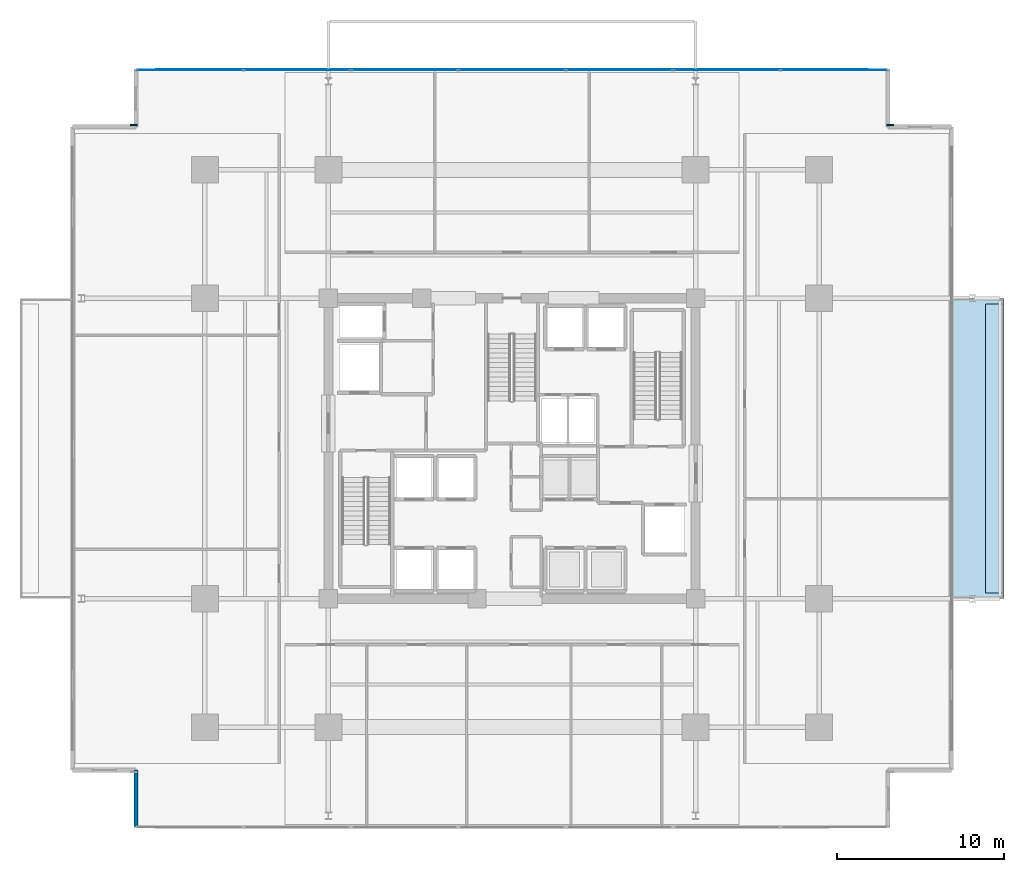
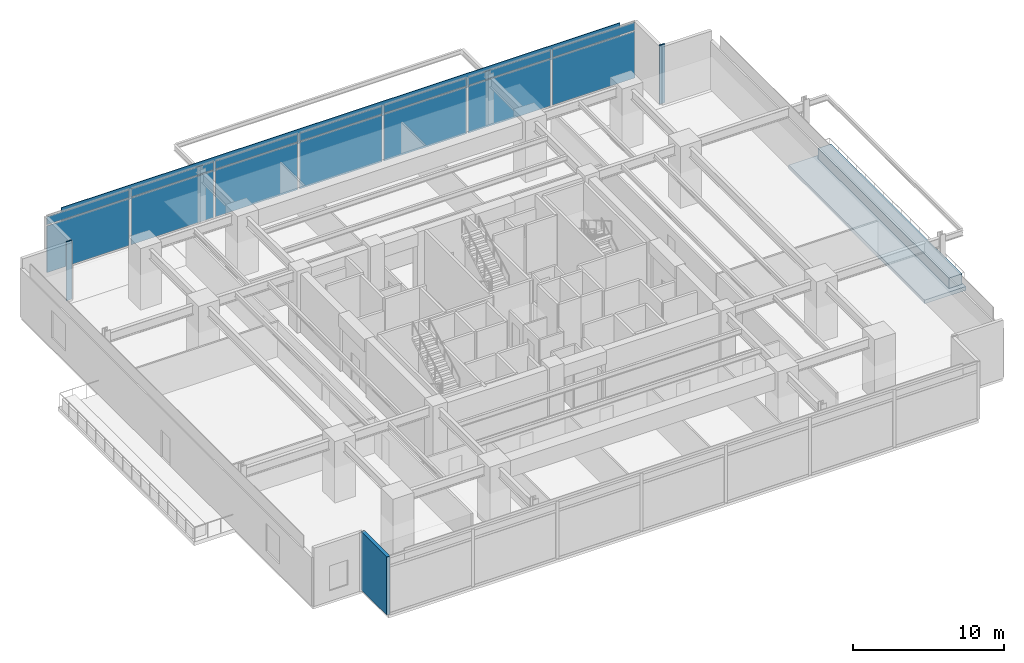
# One storey, part 15 of 24: 17 plates, 2 slabs, 1 wall, 1 element without a shape of its own.
"""IFC4 building model written with IfcOpenShell, lengths in metres."""

from ifc_helpers import new_model, si_unit, direction, frame, frame_2d, origin, origin_2d, place, context, subcontext, project, spatial, polyline, rectangle, outline, extrude, material, layer, layer_set, type_object, element, aggregate, save


model = new_model("IFC4")

# Units and contexts
model_context = context("Model", 3, precision=1e-05, world=origin(), true_north=direction((0.0, 1.0)))
body_context = subcontext(model_context, "Body", "Model", "MODEL_VIEW")
ifc_project = project(units=[si_unit("LENGTHUNIT", "METRE"), si_unit("AREAUNIT", "SQUARE_METRE"), si_unit("VOLUMEUNIT", "CUBIC_METRE"), si_unit("PLANEANGLEUNIT", "RADIAN"), si_unit("MASSUNIT", "GRAM", prefix="KILO")], contexts=[model_context])

# Site, building, storey
site_placement = place(None, origin())
site = spatial("IfcSite", under=ifc_project, at=site_placement, CompositionType="ELEMENT")
building_placement = place(site_placement, origin())
building = spatial("IfcBuilding", under=site, at=building_placement, Name="Kovane Verandah Tower", CompositionType="ELEMENT")
storey_placement = place(building_placement, frame((0.0, 0.0, 118.39990234375)))
storey = spatial("IfcBuildingStorey", under=building, at=storey_placement, Name="L27", CompositionType="ELEMENT", Elevation=118.39990234375)

# Curtain wall, plates
ifc_material_1 = material(Name="Champagne Anodised Aluminium Frame with Low-E Clear Laminated Glass", Category="aluminium")
curtain_wall_type = type_object("IfcCurtainWallType", Name="CW-SYS-03-MID", PredefinedType="NOTDEFINED", material=ifc_material_1)
curtain_wall_placement = place(storey_placement, origin())
curtain_wall = element("IfcCurtainWall", 1, at=curtain_wall_placement, inside=storey, type_object=curtain_wall_type, Name="L27 N Unitised Curtain Wall", PredefinedType="NOTDEFINED")
ifc_material_2 = material(Name="Pale Champagne Anodised Aluminium Insulated Spandrel", Category="aluminium")
ifc_layer_1 = layer(ifc_material_2, 0.0400390625)
ifc_layer_set_1 = layer_set([ifc_layer_1], Name="Pale Champagne Anodised Aluminium Insulated Spandrel")
plate_type_1 = type_object("IfcPlateType", Name="PL-CW-SPD-40", PredefinedType="SHEET", material=ifc_layer_set_1)
plate_1_placement = place(storey_placement, frame((59.311279296875, 50.1708984375, 3.97021484375), z_axis=(0.0, 0.0, 1.0), x_axis=(-1.0, 0.0, 0.0)))
plate_1 = element("IfcPlate", 2, at=plate_1_placement, type_object=plate_type_1, Name="L27 N Unitised Curtain Wall Spandrel Panel 1", PredefinedType="SHEET", context=body_context, shape_type="SweptSolid", body=[
    extrude(rectangle(XDim=6.297119140625, YDim=0.0400390625, at=origin_2d()), origin(), (0.0, 0.0, 1.0), 0.639892578125),
])
plate_2_placement = place(storey_placement, frame((52.874267578125, 50.1708984375, 3.97021484375), z_axis=(0.0, 0.0, 1.0), x_axis=(-1.0, 0.0, 0.0)))
plate_2 = element("IfcPlate", 3, at=plate_2_placement, type_object=plate_type_1, Name="L27 N Unitised Curtain Wall Spandrel Panel 2", PredefinedType="SHEET", context=body_context, shape_type="SweptSolid", body=[
    extrude(rectangle(XDim=6.297119140625, YDim=0.0400390625, at=origin_2d()), origin(), (0.0, 0.0, 1.0), 0.639892578125),
])
plate_3_placement = place(storey_placement, frame((46.43701171875, 50.1708984375, 3.97021484375), z_axis=(0.0, 0.0, 1.0), x_axis=(-1.0, 0.0, 0.0)))
plate_3 = element("IfcPlate", 4, at=plate_3_placement, type_object=plate_type_1, Name="L27 N Unitised Curtain Wall Spandrel Panel 3", PredefinedType="SHEET", context=body_context, shape_type="SweptSolid", body=[
    extrude(rectangle(XDim=6.297119140625, YDim=0.0400390625, at=origin_2d()), origin(), (0.0, 0.0, 1.0), 0.639892578125),
])
plate_4_placement = place(storey_placement, frame((40.0, 50.1708984375, 3.97021484375), z_axis=(0.0, 0.0, 1.0), x_axis=(-1.0, 0.0, 0.0)))
plate_4 = element("IfcPlate", 5, at=plate_4_placement, type_object=plate_type_1, Name="L27 N Unitised Curtain Wall Spandrel Panel 4", PredefinedType="SHEET", context=body_context, shape_type="SweptSolid", body=[
    extrude(rectangle(XDim=6.297119140625, YDim=0.0400390625, at=origin_2d()), origin(), (0.0, 0.0, 1.0), 0.639892578125),
])
plate_5_placement = place(storey_placement, frame((33.56298828125, 50.1708984375, 3.97021484375), z_axis=(0.0, 0.0, 1.0), x_axis=(-1.0, 0.0, 0.0)))
plate_5 = element("IfcPlate", 6, at=plate_5_placement, type_object=plate_type_1, Name="L27 N Unitised Curtain Wall Spandrel Panel 5", PredefinedType="SHEET", context=body_context, shape_type="SweptSolid", body=[
    extrude(rectangle(XDim=6.297119140625, YDim=0.0400390625, at=origin_2d()), origin(), (0.0, 0.0, 1.0), 0.639892578125),
])
plate_6_placement = place(storey_placement, frame((27.125732421875, 50.1708984375, 3.97021484375), z_axis=(0.0, 0.0, 1.0), x_axis=(-1.0, 0.0, 0.0)))
plate_6 = element("IfcPlate", 7, at=plate_6_placement, type_object=plate_type_1, Name="L27 N Unitised Curtain Wall Spandrel Panel 6", PredefinedType="SHEET", context=body_context, shape_type="SweptSolid", body=[
    extrude(rectangle(XDim=6.297119140625, YDim=0.0400390625, at=origin_2d()), origin(), (0.0, 0.0, 1.0), 0.639892578125),
])
plate_7_placement = place(storey_placement, frame((20.688720703125, 50.1708984375, 3.97021484375), z_axis=(0.0, 0.0, 1.0), x_axis=(-1.0, 0.0, 0.0)))
plate_7 = element("IfcPlate", 8, at=plate_7_placement, type_object=plate_type_1, Name="L27 N Unitised Curtain Wall Spandrel Panel 7", PredefinedType="SHEET", context=body_context, shape_type="SweptSolid", body=[
    extrude(rectangle(XDim=6.297119140625, YDim=0.0400390625, at=origin_2d()), origin(), (0.0, 0.0, 1.0), 0.639892578125),
])
ifc_material_3 = material(Name="Clear Low-E Laminated Double Glazing", Category="glass")
ifc_layer_2 = layer(ifc_material_3, 0.031982421875)
ifc_layer_set_2 = layer_set([ifc_layer_2], Name="Clear Low-E Laminated Double Glazing")
plate_type_2 = type_object("IfcPlateType", Name="PL-CW-VIS-32", PredefinedType="CURTAIN_PANEL", material=ifc_layer_set_2)
plate_8_placement = place(storey_placement, frame((59.311279296875, 50.1708984375, 0.10009765625), z_axis=(0.0, 0.0, 1.0), x_axis=(-1.0, 0.0, 0.0)))
plate_8 = element("IfcPlate", 9, at=plate_8_placement, type_object=plate_type_2, Name="L27 N Unitised Curtain Wall Vision Panel 1", PredefinedType="CURTAIN_PANEL", context=body_context, shape_type="SweptSolid", body=[
    extrude(rectangle(XDim=6.297119140625, YDim=0.031982421875, at=origin_2d()), origin(), (0.0, 0.0, 1.0), 3.77001953125),
])
plate_9_placement = place(storey_placement, frame((52.874267578125, 50.1708984375, 0.10009765625), z_axis=(0.0, 0.0, 1.0), x_axis=(-1.0, 0.0, 0.0)))
plate_9 = element("IfcPlate", 10, at=plate_9_placement, type_object=plate_type_2, Name="L27 N Unitised Curtain Wall Vision Panel 2", PredefinedType="CURTAIN_PANEL", context=body_context, shape_type="SweptSolid", body=[
    extrude(rectangle(XDim=6.297119140625, YDim=0.031982421875, at=origin_2d()), origin(), (0.0, 0.0, 1.0), 3.77001953125),
])
plate_10_placement = place(storey_placement, frame((46.43701171875, 50.1708984375, 0.10009765625), z_axis=(0.0, 0.0, 1.0), x_axis=(-1.0, 0.0, 0.0)))
plate_10 = element("IfcPlate", 11, at=plate_10_placement, type_object=plate_type_2, Name="L27 N Unitised Curtain Wall Vision Panel 3", PredefinedType="CURTAIN_PANEL", context=body_context, shape_type="SweptSolid", body=[
    extrude(rectangle(XDim=6.297119140625, YDim=0.031982421875, at=origin_2d()), origin(), (0.0, 0.0, 1.0), 3.77001953125),
])
plate_11_placement = place(storey_placement, frame((40.0, 50.1708984375, 0.10009765625), z_axis=(0.0, 0.0, 1.0), x_axis=(-1.0, 0.0, 0.0)))
plate_11 = element("IfcPlate", 12, at=plate_11_placement, type_object=plate_type_2, Name="L27 N Unitised Curtain Wall Vision Panel 4", PredefinedType="CURTAIN_PANEL", context=body_context, shape_type="SweptSolid", body=[
    extrude(rectangle(XDim=6.297119140625, YDim=0.031982421875, at=origin_2d()), origin(), (0.0, 0.0, 1.0), 3.77001953125),
])
plate_12_placement = place(storey_placement, frame((33.56298828125, 50.1708984375, 0.10009765625), z_axis=(0.0, 0.0, 1.0), x_axis=(-1.0, 0.0, 0.0)))
plate_12 = element("IfcPlate", 13, at=plate_12_placement, type_object=plate_type_2, Name="L27 N Unitised Curtain Wall Vision Panel 5", PredefinedType="CURTAIN_PANEL", context=body_context, shape_type="SweptSolid", body=[
    extrude(rectangle(XDim=6.297119140625, YDim=0.031982421875, at=origin_2d()), origin(), (0.0, 0.0, 1.0), 3.77001953125),
])
plate_13_placement = place(storey_placement, frame((27.125732421875, 50.1708984375, 0.10009765625), z_axis=(0.0, 0.0, 1.0), x_axis=(-1.0, 0.0, 0.0)))
plate_13 = element("IfcPlate", 14, at=plate_13_placement, type_object=plate_type_2, Name="L27 N Unitised Curtain Wall Vision Panel 6", PredefinedType="CURTAIN_PANEL", context=body_context, shape_type="SweptSolid", body=[
    extrude(rectangle(XDim=6.297119140625, YDim=0.031982421875, at=origin_2d()), origin(), (0.0, 0.0, 1.0), 3.77001953125),
])
plate_14_placement = place(storey_placement, frame((20.688720703125, 50.1708984375, 0.10009765625), z_axis=(0.0, 0.0, 1.0), x_axis=(-1.0, 0.0, 0.0)))
plate_14 = element("IfcPlate", 15, at=plate_14_placement, type_object=plate_type_2, Name="L27 N Unitised Curtain Wall Vision Panel 7", PredefinedType="CURTAIN_PANEL", context=body_context, shape_type="SweptSolid", body=[
    extrude(rectangle(XDim=6.297119140625, YDim=0.031982421875, at=origin_2d()), origin(), (0.0, 0.0, 1.0), 3.77001953125),
])
aggregate(curtain_wall, [plate_8, plate_1, plate_9, plate_2, plate_10, plate_3, plate_11, plate_4, plate_12, plate_5, plate_13, plate_6, plate_14, plate_7])

# Plates
ifc_material_4 = material(Name="Timber-Toned Subtropical Aluminium Vertical Blade", Category="wood")
ifc_layer_3 = layer(ifc_material_4, 0.090087890625)
ifc_layer_set_3 = layer_set([ifc_layer_3], Name="Timber-Toned Subtropical Aluminium Vertical Blade")
plate_type_3 = type_object("IfcPlateType", Name="PL-FIN-90", PredefinedType="USERDEFINED", material=ifc_layer_set_3)
for number, where, z_axis, x_axis, name in (
    (16, (62.64990234375, 46.890869140625, -0.02001953125), (0.0, 0.0, 1.0), (1.0, 0.0, 0.0), "L27 NE Timber-Toned Vertical Corner Fin"),
    (17, (17.35009765625, 46.890869140625, -0.02001953125), (0.0, 0.0, 1.0), (1.0, 0.0, 0.0), "L27 NW Timber-Toned Vertical Corner Fin"),
):
    element("IfcPlate", number, at=place(storey_placement, frame(where, z_axis=z_axis, x_axis=x_axis)), inside=storey, type_object=plate_type_3, Name=name, ObjectType="FIN", PredefinedType="USERDEFINED", context=body_context, shape_type="SweptSolid", body=[
        extrude(rectangle(XDim=0.419921875, YDim=0.090087890625, at=origin_2d()), origin(), (0.0, 0.0, 1.0), 4.760009765625),
    ])
ifc_material_5 = material(Name="Perforated Pale Champagne Anodised Aluminium Solar Screen", Category="aluminium")
ifc_layer_4 = layer(ifc_material_5, 0.050048828125)
ifc_layer_set_4 = layer_set([ifc_layer_4], Name="Perforated Pale Champagne Anodised Aluminium Solar Screen")
plate_type_4 = type_object("IfcPlateType", Name="PL-SCREEN-50", PredefinedType="USERDEFINED", material=ifc_layer_set_4)
plate_15_placement = place(storey_placement, frame((40.0, 50.185791015625, 3.800048828125), z_axis=(0.0, 0.0, 1.0), x_axis=(-1.0, 0.0, 0.0)))
element("IfcPlate", 18, at=plate_15_placement, inside=storey, type_object=plate_type_4, Name="L27 N Perforated Champagne-Gold Solar Screen", ObjectType="SCREEN", PredefinedType="USERDEFINED", context=body_context, shape_type="SweptSolid", body=[
    extrude(rectangle(XDim=42.659912109375, YDim=0.050048828125, at=origin_2d()), origin(), (0.0, 0.0, 1.0), 1.14990234375),
])

# Slabs
ifc_material_6 = material(Name="Concrete C45/55", Category="concrete")
ifc_layer_5 = layer(ifc_material_6, 0.300048828125)
ifc_layer_set_5 = layer_set([ifc_layer_5], Name="Concrete C45/55")
slab_type_1 = type_object("IfcSlabType", Name="SL-BALC-300", PredefinedType="FLOOR", material=ifc_layer_set_5)
slab_1_placement = place(storey_placement, frame((0.0, 0.0, -0.2998046875)))
element("IfcSlab", 19, at=slab_1_placement, inside=storey, type_object=slab_type_1, Name="L27 E Planted Verandah Balcony Slab", PredefinedType="FLOOR", context=body_context, shape_type="SweptSolid", body=[
    extrude(outline(polyline([(66.329833984375, 18.5), (69.47998046875, 18.5), (69.47998046875, 36.5), (66.329833984375, 36.5), (66.329833984375, 18.5)])), origin(), (0.0, 0.0, 1.0), 0.2998046875),
])
ifc_material_7 = material(Name="Architectural Precast Concrete C45/55 Planter Trough", Category="concrete")
ifc_layer_6 = layer(ifc_material_7, 0.219970703125)
ifc_layer_set_6 = layer_set([ifc_layer_6], Name="Architectural Precast Concrete C45/55 Planter Trough")
slab_type_2 = type_object("IfcSlabType", Name="SL-PLANTER-220", PredefinedType="USERDEFINED", material=ifc_layer_set_6)
slab_2_placement = place(storey_placement, origin())
element("IfcSlab", 20, at=slab_2_placement, inside=storey, type_object=slab_type_2, Name="L27 E Structural Tree Planter", ObjectType="PLANTER", PredefinedType="USERDEFINED", context=body_context, shape_type="SweptSolid", body=[
    extrude(outline(polyline([(68.3798828125, 18.85009765625), (69.3798828125, 18.85009765625), (69.3798828125, 36.14990234375), (68.3798828125, 36.14990234375), (68.3798828125, 18.85009765625)])), origin(), (0.0, 0.0, 1.0), 0.85009765625),
])

# Wall
ifc_material_8 = material(Name="Concrete C45/55 Insulated Spandrel Wall", Category="concrete")
ifc_layer_7 = layer(ifc_material_8, 0.260009765625)
ifc_layer_set_7 = layer_set([ifc_layer_7], Name="Concrete C45/55 Insulated Spandrel Wall")
wall_type = type_object("IfcWallType", Name="WL-SPANDREL-260", PredefinedType="PARAPET", material=ifc_layer_set_7)
wall_placement = place(storey_placement, frame((17.47021484375, 8.22900390625, 0.0), z_axis=(0.0, 0.0, 1.0), x_axis=(0.0, -1.0, 0.0)))
element("IfcWall", 21, at=wall_placement, inside=storey, type_object=wall_type, Name="L27 SW Notch Cheek Wall 2", PredefinedType="PARAPET", context=body_context, shape_type="SweptSolid", body=[
    extrude(rectangle(XDim=3.39990234375, YDim=0.260009765625, at=frame_2d((1.699951171875, 0.0))), origin(), (0.0, 0.0, 1.0), 4.7001953125),
])

save(model, "model.ifc")
